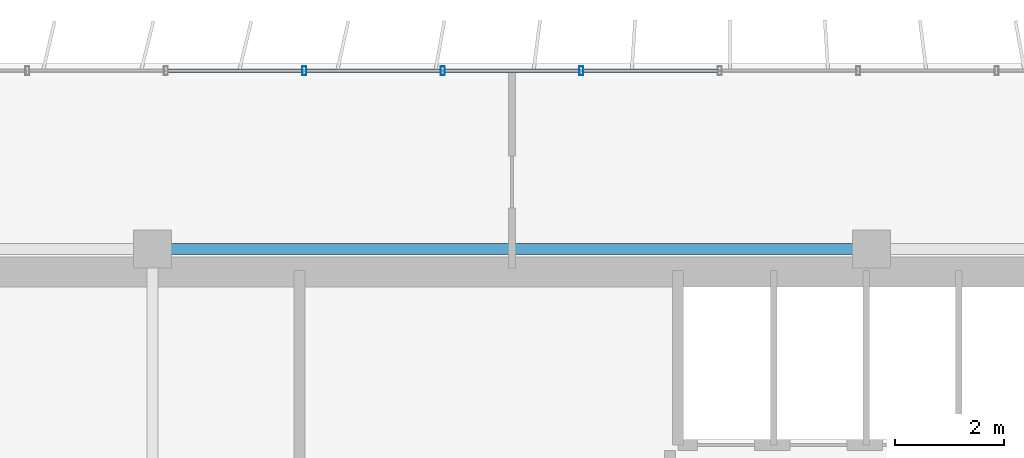
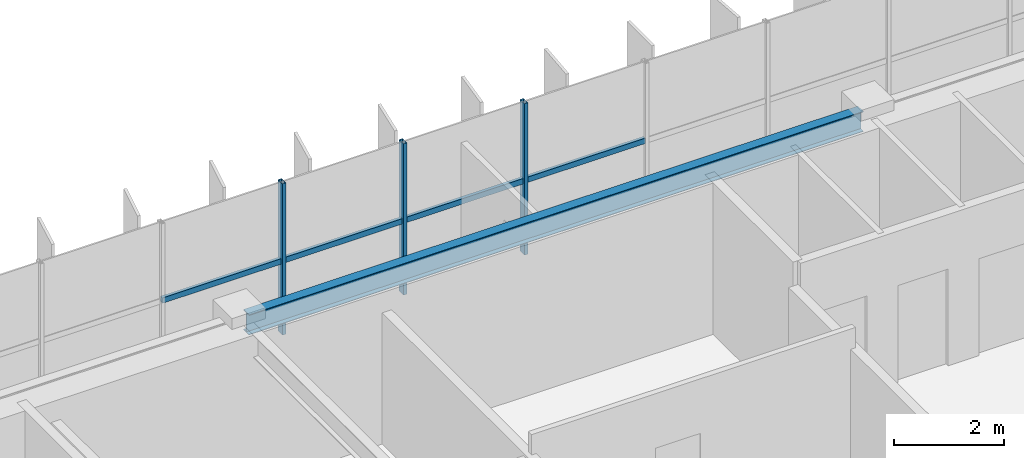
# One storey, part 9 of 23: 7 members, 1 beam, 1 element without a shape of its own.
"""IFC4 building model written with IfcOpenShell, lengths in metres."""

from ifc_helpers import new_model, si_unit, direction, frame, origin, origin_2d, place, context, subcontext, project, spatial, hollow_rectangle, i_section, extrude, source, transform, mapped, material, material_profile, profile_set, type_object, element, aggregate, save


model = new_model("IFC4")

# Units and contexts
model_context = context("Model", 3, precision=1e-05, world=origin(), true_north=direction((0.0, 1.0)))
body_context = subcontext(model_context, "Body", "Model", "MODEL_VIEW")
ifc_project = project(units=[si_unit("LENGTHUNIT", "METRE"), si_unit("AREAUNIT", "SQUARE_METRE"), si_unit("VOLUMEUNIT", "CUBIC_METRE"), si_unit("PLANEANGLEUNIT", "RADIAN"), si_unit("MASSUNIT", "GRAM", prefix="KILO")], contexts=[model_context])

# Site, building, storey
site_placement = place(None, origin())
site = spatial("IfcSite", under=ifc_project, at=site_placement, CompositionType="ELEMENT")
building_placement = place(site_placement, origin())
building = spatial("IfcBuilding", under=site, at=building_placement, Name="Trelvane Seafront Commons", CompositionType="ELEMENT")
storey_placement = place(building_placement, frame((0.0, 0.0, 226.5)))
storey = spatial("IfcBuildingStorey", under=building, at=storey_placement, Name="L59", CompositionType="ELEMENT", Elevation=226.5)

# Beam
ifc_material_1 = material(Name="Steel SM355 (S355)", Category="steel")
ifc_material_profile_1 = material_profile(ifc_material_1, i_section(OverallWidth=0.199951171875, OverallDepth=0.449951171875, WebThickness=0.009033203125, FlangeThickness=0.013916015625, at=origin_2d()), Name="H-450x200x9x14")
ifc_profile_set_1 = profile_set([ifc_material_profile_1], Name="Steel SM355 (S355)")
beam_type = type_object("IfcBeamType", Name="STR-SPD-H450", PredefinedType="SPANDREL", material=ifc_profile_set_1)
shared_shape_1 = source(origin(), body_context, "Body", "SweptSolid", [
    extrude(i_section(OverallWidth=0.199951171875, OverallDepth=0.449951171875, WebThickness=0.009033203125, FlangeThickness=0.013916015625, at=origin_2d()), origin(), (0.0, 0.0, 1.0), 12.89990234375),
])
beam_placement = place(storey_placement, frame((30.75, 45.10009765625, 3.135009765625), z_axis=(1.0, 0.0, 0.0), x_axis=(0.0, 1.0, 0.0)))
element("IfcBeam", 1, at=beam_placement, inside=storey, type_object=beam_type, Name="L59 Primary Girder G-25", PredefinedType="SPANDREL", context=body_context, shape_type="MappedRepresentation", body=[
    mapped(shared_shape_1, transform((0.0, 0.0, 0.0), x_axis=(1.0, 0.0, 0.0), y_axis=(0.0, 1.0, 0.0), z_axis=(0.0, 0.0, 1.0), scale=1.0)),
])

# Curtain wall, members
ifc_material_2 = material(Name="Anodised pale-silver aluminium", Category="aluminium")
curtain_wall_type = type_object("IfcCurtainWallType", Name="ARCH-CW5-UPTOWER", PredefinedType="NOTDEFINED", material=ifc_material_2)
curtain_wall_placement = place(storey_placement, origin())
curtain_wall = element("IfcCurtainWall", 2, at=curtain_wall_placement, inside=storey, type_object=curtain_wall_type, Name="CW-L59-0102", PredefinedType="NOTDEFINED")
ifc_material_profile_2 = material_profile(ifc_material_2, hollow_rectangle(XDim=0.070068359375, YDim=0.1201171875, WallThickness=0.00390625, at=origin_2d()), Name="TRAN-70x120x4")
ifc_profile_set_2 = profile_set([ifc_material_profile_2], Name="Anodised pale-silver aluminium")
member_type_1 = type_object("IfcMemberType", Name="ARCH-CW-TRAN-120", PredefinedType="USERDEFINED", material=ifc_profile_set_2)
shared_shape_2 = source(origin(), body_context, "Body", "SweptSolid", [
    extrude(hollow_rectangle(XDim=0.070068359375, YDim=0.1201171875, WallThickness=0.00390625, at=origin_2d()), origin(), (0.0, 0.0, 1.0), 2.51708984375),
])
member_1_placement = place(storey_placement, frame((30.859130859375, 48.3701171875, 1.613037109375), z_axis=(1.0, 0.0, 0.0), x_axis=(0.0, 1.0, 0.0)))
member_1 = element("IfcMember", 3, at=member_1_placement, type_object=member_type_1, Name="CW-L59-0102-T06", ObjectType="TRANSOM", PredefinedType="USERDEFINED", context=body_context, shape_type="MappedRepresentation", body=[
    mapped(shared_shape_2, transform((0.0, 0.0, 0.0), x_axis=(1.0, 0.0, 0.0), y_axis=(0.0, 1.0, 0.0), z_axis=(0.0, 0.0, 1.0), scale=1.0)),
])
member_2_placement = place(storey_placement, frame((35.94140625, 48.3701171875, 1.613037109375), z_axis=(1.0, 0.0, 0.0), x_axis=(0.0, 1.0, 0.0)))
member_2 = element("IfcMember", 4, at=member_2_placement, type_object=member_type_1, Name="CW-L59-0102-T08", ObjectType="TRANSOM", PredefinedType="USERDEFINED", context=body_context, shape_type="MappedRepresentation", body=[
    mapped(shared_shape_2, transform((0.0, 0.0, 0.0), x_axis=(1.0, 0.0, 0.0), y_axis=(0.0, 1.0, 0.0), z_axis=(0.0, 0.0, 1.0), scale=1.0)),
])
member_3_placement = place(storey_placement, frame((38.482666015625, 48.3701171875, 1.613037109375), z_axis=(1.0, 0.0, 0.0), x_axis=(0.0, 1.0, 0.0)))
member_3 = element("IfcMember", 5, at=member_3_placement, type_object=member_type_1, Name="CW-L59-0102-T09", ObjectType="TRANSOM", PredefinedType="USERDEFINED", context=body_context, shape_type="MappedRepresentation", body=[
    mapped(shared_shape_2, transform((0.0, 0.0, 0.0), x_axis=(1.0, 0.0, 0.0), y_axis=(0.0, 1.0, 0.0), z_axis=(0.0, 0.0, 1.0), scale=1.0)),
])
shared_shape_3 = source(origin(), body_context, "Body", "SweptSolid", [
    extrude(hollow_rectangle(XDim=0.070068359375, YDim=0.1201171875, WallThickness=0.00390625, at=origin_2d()), origin(), (0.0, 0.0, 1.0), 2.517333984375),
])
member_4_placement = place(storey_placement, frame((33.400146484375, 48.3701171875, 1.613037109375), z_axis=(1.0, 0.0, 0.0), x_axis=(0.0, 1.0, 0.0)))
member_4 = element("IfcMember", 6, at=member_4_placement, type_object=member_type_1, Name="CW-L59-0102-T07", ObjectType="TRANSOM", PredefinedType="USERDEFINED", context=body_context, shape_type="MappedRepresentation", body=[
    mapped(shared_shape_3, transform((0.0, 0.0, 0.0), x_axis=(1.0, 0.0, 0.0), y_axis=(0.0, 1.0, 0.0), z_axis=(0.0, 0.0, 1.0), scale=1.0)),
])
ifc_material_profile_3 = material_profile(ifc_material_2, hollow_rectangle(XDim=0.074951171875, YDim=0.159912109375, WallThickness=0.00390625, at=origin_2d()), Name="MULL-75x160x4")
ifc_profile_set_3 = profile_set([ifc_material_profile_3], Name="Anodised pale-silver aluminium")
member_type_2 = type_object("IfcMemberType", Name="ARCH-CW-MULL-160", PredefinedType="MULLION", material=ifc_profile_set_3)
shared_shape_4 = source(origin(), body_context, "Body", "SweptSolid", [
    extrude(hollow_rectangle(XDim=0.074951171875, YDim=0.159912109375, WallThickness=0.00390625, at=origin_2d()), origin(), (0.0, 0.0, 1.0), 3.360107421875),
])
member_5_placement = place(storey_placement, frame((33.38818359375, 48.3701171875, 0.0), z_axis=(0.0, 0.0, 1.0), x_axis=(1.0, 0.0, 0.0)))
member_5 = element("IfcMember", 7, at=member_5_placement, type_object=member_type_2, Name="CW-L59-0102-M07", PredefinedType="MULLION", context=body_context, shape_type="MappedRepresentation", body=[
    mapped(shared_shape_4, transform((0.0, 0.0, 0.0), x_axis=(1.0, 0.0, 0.0), y_axis=(0.0, 1.0, 0.0), z_axis=(0.0, 0.0, 1.0), scale=1.0)),
])
member_6_placement = place(storey_placement, frame((35.929443359375, 48.3701171875, 0.0), z_axis=(0.0, 0.0, 1.0), x_axis=(1.0, 0.0, 0.0)))
member_6 = element("IfcMember", 8, at=member_6_placement, type_object=member_type_2, Name="CW-L59-0102-M08", PredefinedType="MULLION", context=body_context, shape_type="MappedRepresentation", body=[
    mapped(shared_shape_4, transform((0.0, 0.0, 0.0), x_axis=(1.0, 0.0, 0.0), y_axis=(0.0, 1.0, 0.0), z_axis=(0.0, 0.0, 1.0), scale=1.0)),
])
member_7_placement = place(storey_placement, frame((38.470703125, 48.3701171875, 0.0), z_axis=(0.0, 0.0, 1.0), x_axis=(1.0, 0.0, 0.0)))
member_7 = element("IfcMember", 9, at=member_7_placement, type_object=member_type_2, Name="CW-L59-0102-M09", PredefinedType="MULLION", context=body_context, shape_type="MappedRepresentation", body=[
    mapped(shared_shape_4, transform((0.0, 0.0, 0.0), x_axis=(1.0, 0.0, 0.0), y_axis=(0.0, 1.0, 0.0), z_axis=(0.0, 0.0, 1.0), scale=1.0)),
])
aggregate(curtain_wall, [member_5, member_6, member_7, member_1, member_4, member_2, member_3])

save(model, "model.ifc")
